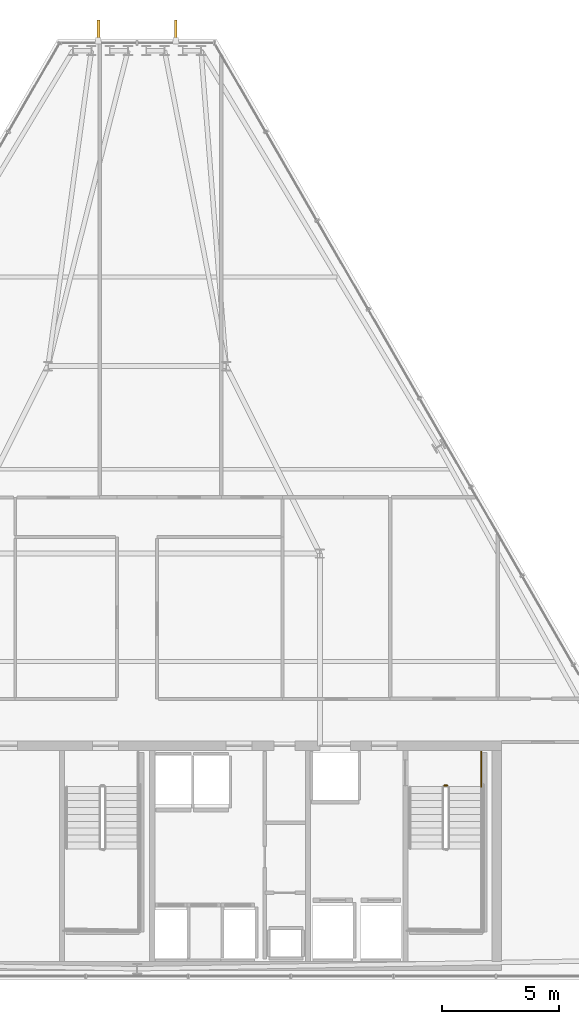
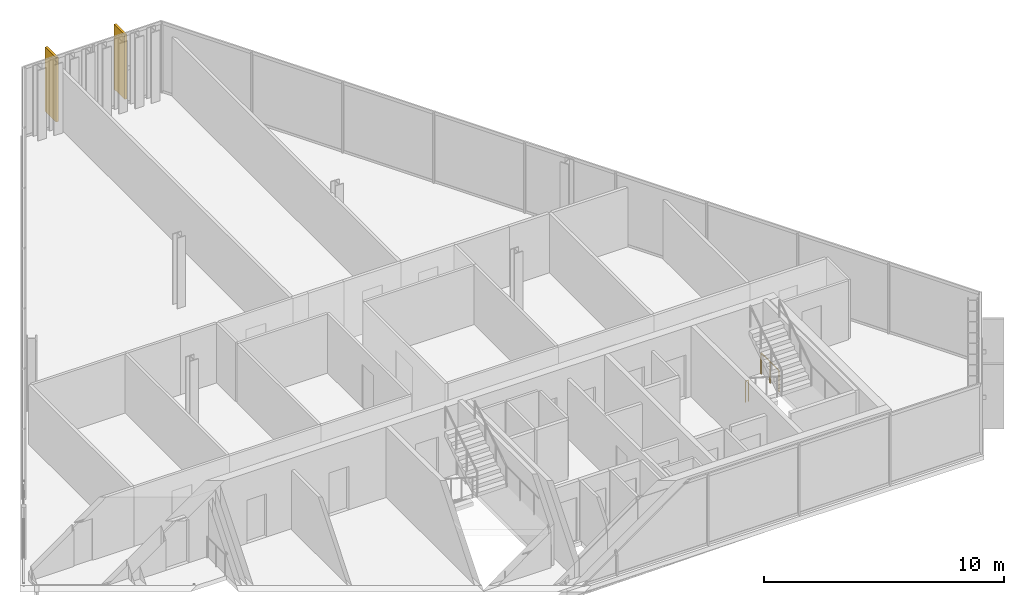
# One storey, part 29 of 29: 2 railings, 2 shading devices.
"""IFC4 building model written with IfcOpenShell, lengths in metres."""

from ifc_helpers import new_model, si_unit, direction, frame, origin, origin_2d, place, context, subcontext, project, spatial, rectangle, circle, extrude, material, layer, layer_set, type_object, element, save


model = new_model("IFC4")

# Units and contexts
model_context = context("Model", 3, precision=1e-05, world=origin(), true_north=direction((0.0, 1.0)))
body_context = subcontext(model_context, "Body", "Model", "MODEL_VIEW")
ifc_project = project(units=[si_unit("LENGTHUNIT", "METRE"), si_unit("AREAUNIT", "SQUARE_METRE"), si_unit("VOLUMEUNIT", "CUBIC_METRE"), si_unit("PLANEANGLEUNIT", "RADIAN"), si_unit("MASSUNIT", "GRAM", prefix="KILO")], contexts=[model_context])

# Site, building, storey
site_placement = place(None, origin())
site = spatial("IfcSite", under=ifc_project, at=site_placement, CompositionType="ELEMENT")
building_placement = place(site_placement, origin())
building = spatial("IfcBuilding", under=site, at=building_placement, Name="Ndaravel Arena Tower", CompositionType="ELEMENT")
storey_placement = place(building_placement, frame((0.0, 0.0, 244.60009765625)))
storey = spatial("IfcBuildingStorey", under=building, at=storey_placement, Name="L59", CompositionType="ELEMENT", Elevation=244.60009765625)

# Railings
ifc_material_1 = material(Name="Steel S355", Category="steel")
ifc_layer = layer(ifc_material_1, 0.06005859375)
ifc_layer_set = layer_set([ifc_layer], Name="Steel S355")
railing_type = type_object("IfcRailingType", Name="RAIL-STAIR-GD1100", PredefinedType="GUARDRAIL", material=ifc_layer_set)
railing_1_placement = place(storey_placement, frame((55.10009765625, 13.300048828125, 0.0)))
element("IfcRailing", 1, at=railing_1_placement, inside=storey, type_object=railing_type, Name="L59 ST-3 stair guard 4", PredefinedType="GUARDRAIL", context=body_context, shape_type="SweptSolid", body=[
    extrude(circle(Radius=0.02392578125, at=origin_2d()), frame((0.0, 0.0, 1.076171875), z_axis=(1.0, 0.0, 0.0), x_axis=(0.0, 1.0, 0.0)), (0.0, 0.0, 1.0), 0.139892578125),
    extrude(circle(Radius=0.02099609375, at=origin_2d()), origin(), (0.0, 0.0, 1.0), 1.052001953125),
    extrude(circle(Radius=0.02099609375, at=origin_2d()), frame((0.139892578125, 0.0, 0.0)), (0.0, 0.0, 1.0), 1.052001953125),
])
railing_2_placement = place(storey_placement, frame((56.68994140625, 14.75, 0.0)))
element("IfcRailing", 2, at=railing_2_placement, inside=storey, type_object=railing_type, Name="L59 ST-3 stair guard 5", PredefinedType="GUARDRAIL", context=body_context, shape_type="SweptSolid", body=[
    extrude(circle(Radius=0.02392578125, at=origin_2d()), frame((0.0, 0.0, 1.076171875), z_axis=(0.0, -1.0, 0.0), x_axis=(1.0, 0.0, 0.0)), (0.0, 0.0, 1.0), 1.5),
    extrude(circle(Radius=0.02099609375, at=origin_2d()), origin(), (0.0, 0.0, 1.0), 1.052001953125),
    extrude(circle(Radius=0.02099609375, at=origin_2d()), frame((0.0, -0.75, 0.0)), (0.0, 0.0, 1.0), 1.052001953125),
    extrude(circle(Radius=0.02099609375, at=origin_2d()), frame((0.0, -1.5, 0.0)), (0.0, 0.0, 1.0), 1.052001953125),
])

# Shading devices
ifc_material_2 = material(Name="Masonry", Category="masonry")
shading_device_type = type_object("IfcShadingDeviceType", Name="SHD-MAZERAS-FIN", PredefinedType="SHUTTER", material=ifc_material_2)
for number, where, z_axis, x_axis, name in (
    (3, (43.65185546875, 45.523681640625, 0.14990234375), (0.0, 0.0, 1.0), (0.0, 1.0, 0.0), "L59 Mazeras Stone Solar Fin E4.1"),
    (4, (40.34814453125, 45.523681640625, 0.14990234375), (0.0, 0.0, 1.0), (0.0, 1.0, 0.0), "L59 Mazeras Stone Solar Fin E4.2"),
):
    element("IfcShadingDevice", number, at=place(storey_placement, frame(where, z_axis=z_axis, x_axis=x_axis)), inside=storey, type_object=shading_device_type, Name=name, PredefinedType="SHUTTER", context=body_context, shape_type="SweptSolid", body=[
        extrude(rectangle(XDim=0.89990234375, YDim=0.1201171875, at=origin_2d()), origin(), (0.0, 0.0, 1.0), 3.280029296875),
    ])

save(model, "model.ifc")
